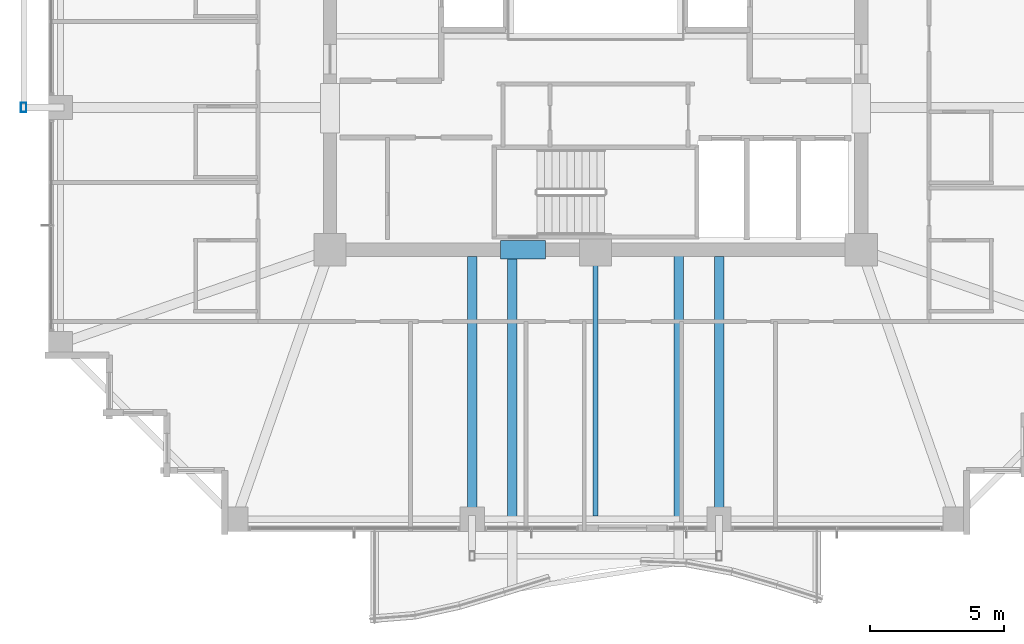
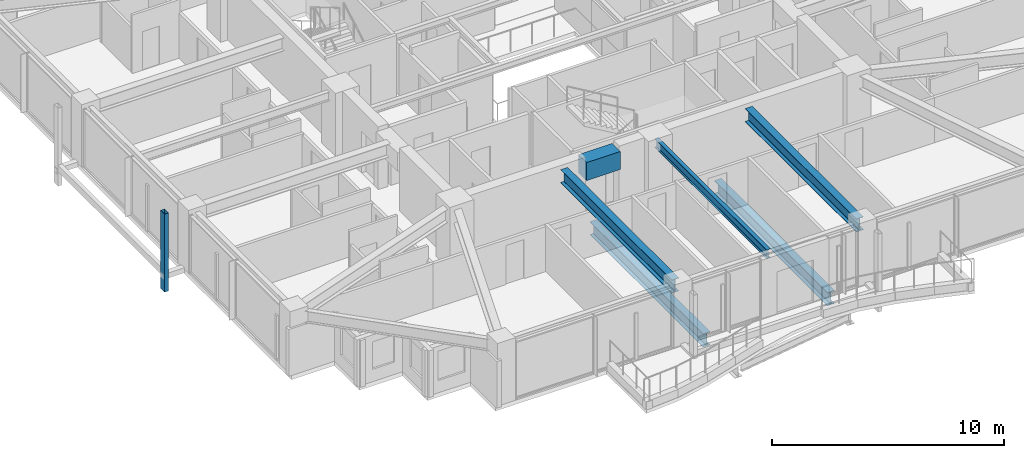
# One storey, part 7 of 37: 6 beams, 1 member.
"""IFC4 building model written with IfcOpenShell, lengths in metres."""

from ifc_helpers import new_model, si_unit, direction, frame, origin, origin_2d, place, context, subcontext, project, spatial, rectangle, hollow_rectangle, i_section, extrude, material, material_profile, profile_set, type_object, element, save


model = new_model("IFC4")

# Units and contexts
model_context = context("Model", 3, precision=1e-05, world=origin(), true_north=direction((0.0, 1.0)))
body_context = subcontext(model_context, "Body", "Model", "MODEL_VIEW")
ifc_project = project(units=[si_unit("LENGTHUNIT", "METRE"), si_unit("AREAUNIT", "SQUARE_METRE"), si_unit("VOLUMEUNIT", "CUBIC_METRE"), si_unit("PLANEANGLEUNIT", "RADIAN"), si_unit("MASSUNIT", "GRAM", prefix="KILO")], contexts=[model_context])

# Site, building, storey
site_placement = place(None, origin())
site = spatial("IfcSite", under=ifc_project, at=site_placement, CompositionType="ELEMENT")
building_placement = place(site_placement, origin())
building = spatial("IfcBuilding", under=site, at=building_placement, Name="Kolvaren Belvedere", CompositionType="ELEMENT")
storey_placement = place(building_placement, frame((0.0, 0.0, 173.39990234375)))
storey = spatial("IfcBuildingStorey", under=building, at=storey_placement, Name="L50", CompositionType="ELEMENT", Elevation=173.39990234375)

# Beams
ifc_material_1 = material(Name="Structural steel ASTM A992 Grade 50", Category="steel")
ifc_material_profile_1 = material_profile(ifc_material_1, i_section(OverallWidth=0.35498046875, OverallDepth=0.696044921875, WebThickness=0.015380859375, FlangeThickness=0.02490234375, FilletRadius=0.02197265625, at=origin_2d()), Name="W27X146")
ifc_profile_set_1 = profile_set([ifc_material_profile_1], Name="Structural steel ASTM A992 Grade 50")
beam_type_1 = type_object("IfcBeamType", Name="BM-GIRD-W27X146", PredefinedType="BEAM", material=ifc_profile_set_1)
for number, where, z_axis, x_axis, name in (
    (1, (-3.10009765625, -10.090087890625, -0.56787109375), (0.0, -1.0, 0.0), (1.0, 0.0, 0.0), "L50 Balcony Interior Back-Span Girder BAL-S-1"),
    (2, (3.10009765625, -10.090087890625, -0.56787109375), (0.0, -1.0, 0.0), (1.0, 0.0, 0.0), "L50 Balcony Interior Back-Span Girder BAL-S-2"),
):
    element("IfcBeam", number, at=place(storey_placement, frame(where, z_axis=z_axis, x_axis=x_axis)), inside=storey, type_object=beam_type_1, Name=name, PredefinedType="BEAM", context=body_context, shape_type="SweptSolid", body=[
        extrude(i_section(OverallWidth=0.35498046875, OverallDepth=0.696044921875, WebThickness=0.015380859375, FlangeThickness=0.02490234375, FilletRadius=0.02197265625, at=origin_2d()), origin(), (0.0, 0.0, 1.0), 9.764892578125),
    ])
for number, where, z_axis, x_axis, name in (
    (3, (4.60009765625, -10.14990234375, 2.732177734375), (0.0, -1.0, 0.0), (1.0, 0.0, 0.0), "L50 South Radial Girder P"),
    (4, (-4.60009765625, -10.14990234375, 2.732177734375), (0.0, -1.0, 0.0), (1.0, 0.0, 0.0), "L50 South Radial Girder M"),
):
    element("IfcBeam", number, at=place(storey_placement, frame(where, z_axis=z_axis, x_axis=x_axis)), inside=storey, type_object=beam_type_1, Name=name, PredefinedType="BEAM", context=body_context, shape_type="SweptSolid", body=[
        extrude(i_section(OverallWidth=0.35498046875, OverallDepth=0.696044921875, WebThickness=0.015380859375, FlangeThickness=0.02490234375, FilletRadius=0.02197265625, at=origin_2d()), origin(), (0.0, 0.0, 1.0), 9.59765625),
    ])
ifc_material_2 = material(Name="Structural steel ASTM A992 Grade 50", Category="steel")
ifc_material_profile_2 = material_profile(ifc_material_2, i_section(OverallWidth=0.19091796875, OverallDepth=0.4599609375, WebThickness=0.010009765625, FlangeThickness=0.01611328125, FilletRadius=0.014892578125, at=origin_2d()), Name="W18X55")
ifc_profile_set_2 = profile_set([ifc_material_profile_2], Name="Structural steel ASTM A992 Grade 50")
beam_type_2 = type_object("IfcBeamType", Name="BM-JOIST-W18X55", PredefinedType="BEAM", material=ifc_profile_set_2)
beam_1_placement = place(storey_placement, frame((0.0, -10.14990234375, 2.85009765625), z_axis=(0.0, -1.0, 0.0), x_axis=(1.0, 0.0, 0.0)))
element("IfcBeam", 5, at=beam_1_placement, inside=storey, type_object=beam_type_2, Name="L50 South Centre Floor Beam", PredefinedType="BEAM", context=body_context, shape_type="SweptSolid", body=[
    extrude(i_section(OverallWidth=0.19091796875, OverallDepth=0.4599609375, WebThickness=0.010009765625, FlangeThickness=0.01611328125, FilletRadius=0.014892578125, at=origin_2d()), origin(), (0.0, 0.0, 1.0), 9.685546875),
])
ifc_material_3 = material(Name="Concrete C60/75", Category="concrete")
ifc_material_profile_3 = material_profile(ifc_material_3, rectangle(XDim=0.699951171875, YDim=0.949951171875, at=origin_2d()), Name="RC 700X950")
ifc_profile_set_3 = profile_set([ifc_material_profile_3], Name="Concrete C60/75")
beam_type_3 = type_object("IfcBeamType", Name="BM-LINT-950", PredefinedType="LINTEL", material=ifc_profile_set_3)
beam_2_placement = place(storey_placement, frame((-3.5400390625, -9.89990234375, 2.60498046875), z_axis=(1.0, 0.0, 0.0), x_axis=(0.0, 1.0, 0.0)))
element("IfcBeam", 6, at=beam_2_placement, inside=storey, type_object=beam_type_3, Name="L50 South Core Coupling Lintel", PredefinedType="LINTEL", context=body_context, shape_type="SweptSolid", body=[
    extrude(rectangle(XDim=0.699951171875, YDim=0.949951171875, at=origin_2d()), origin(), (0.0, 0.0, 1.0), 1.679931640625),
])

# Member
ifc_material_4 = material(Name="Anodised pale-metal aluminium AA 6063-T6", Category="aluminium")
ifc_material_profile_4 = material_profile(ifc_material_4, hollow_rectangle(XDim=0.199951171875, YDim=0.35009765625, WallThickness=0.007568359375, at=origin_2d()), Name="ALU-PF-350X200")
ifc_profile_set_4 = profile_set([ifc_material_profile_4], Name="Anodised pale-metal aluminium AA 6063-T6")
member_type = type_object("IfcMemberType", Name="PF-FRAME-350", PredefinedType="USERDEFINED", material=ifc_profile_set_4)
member_placement = place(storey_placement, frame((-21.320068359375, -4.60009765625, -0.809814453125), z_axis=(0.0, 0.0, 1.0), x_axis=(1.0, 0.0, 0.0)))
element("IfcMember", 7, at=member_placement, inside=storey, type_object=member_type, Name="L50 Outboard Picture-Frame Vertical W1", ObjectType="PICTURE FRAME FIN", PredefinedType="USERDEFINED", context=body_context, shape_type="SweptSolid", body=[
    extrude(hollow_rectangle(XDim=0.199951171875, YDim=0.35009765625, WallThickness=0.007568359375, at=origin_2d()), origin(), (0.0, 0.0, 1.0), 4.10986328125),
])

save(model, "model.ifc")
